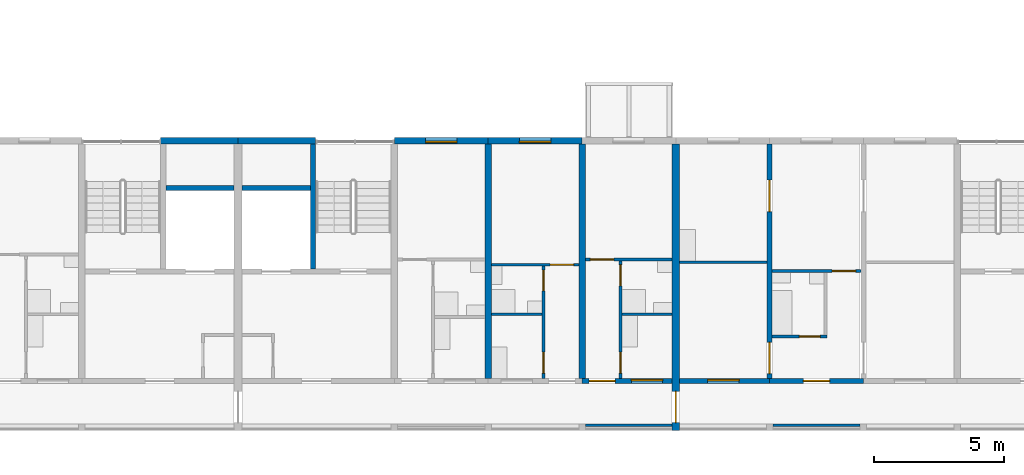
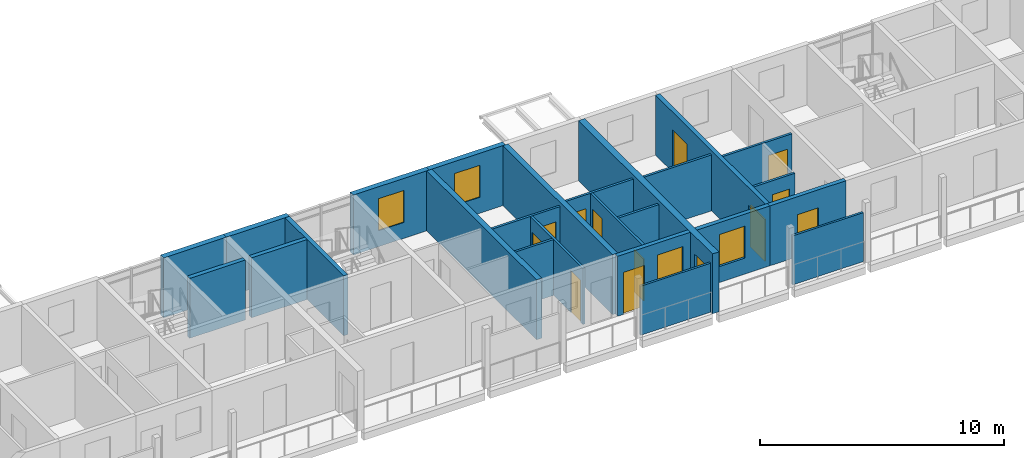
# One storey, part 33 of 98: 25 walls, 13 doors, 4 windows, 17 openings.
"""IFC4 building model written with IfcOpenShell, lengths in metres."""

from ifc_helpers import new_model, si_unit, direction, frame, frame_2d, origin, place, context, subcontext, project, spatial, rectangle, extrude, material, layer, layer_set, type_object, element, fill, save


model = new_model("IFC4")

# Units and contexts
model_context = context("Model", 3, precision=1e-05, world=origin(), true_north=direction((0.0, 1.0)))
body_context = subcontext(model_context, "Body", "Model", "MODEL_VIEW")
ifc_project = project(units=[si_unit("LENGTHUNIT", "METRE"), si_unit("AREAUNIT", "SQUARE_METRE"), si_unit("VOLUMEUNIT", "CUBIC_METRE"), si_unit("PLANEANGLEUNIT", "RADIAN"), si_unit("MASSUNIT", "GRAM", prefix="KILO")], contexts=[model_context])

# Site, building, storey
site_placement = place(None, origin())
site = spatial("IfcSite", under=ifc_project, at=site_placement, CompositionType="ELEMENT")
building_placement = place(site_placement, origin())
building = spatial("IfcBuilding", under=site, at=building_placement, Name="Ridgestep Commons", CompositionType="ELEMENT")
storey_placement = place(building_placement, frame((0.0, 0.0, 12.0)))
storey = spatial("IfcBuildingStorey", under=building, at=storey_placement, Name="L04", CompositionType="ELEMENT", Elevation=12.0)

# Walls
ifc_material_1 = material(Name="Concrete C30/37", Category="concrete")
ifc_layer_1 = layer(ifc_material_1, 0.199951171875)
ifc_layer_set_1 = layer_set([ifc_layer_1], Name="Core wall 200")
wall_type_1 = type_object("IfcWallType", Name="Core wall 200", PredefinedType="SHEAR", material=ifc_layer_set_1)
wall_1_placement = place(storey_placement, frame((42.824951171875, 21.050048828125, 0.0), z_axis=(0.0, 0.0, 1.0), x_axis=(1.0, 0.0, 0.0)))
element("IfcWall", 1, at=wall_1_placement, inside=storey, type_object=wall_type_1, Name="Core duct wall A2C L04", PredefinedType="SHEAR", context=body_context, shape_type="SweptSolid", body=[
    extrude(rectangle(XDim=2.625, YDim=0.199951171875, at=frame_2d((1.3125, 0.0))), origin(), (0.0, 0.0, 1.0), 3.0),
])
wall_2_placement = place(storey_placement, frame((48.47509765625, 17.949951171875, 0.0), z_axis=(0.0, 0.0, 1.0), x_axis=(0.0, 1.0, 0.0)))
element("IfcWall", 2, at=wall_2_placement, inside=storey, type_object=wall_type_1, Name="Core stair wall A3C L04", PredefinedType="SHEAR", context=body_context, shape_type="SweptSolid", body=[
    extrude(rectangle(XDim=4.800048828125, YDim=0.199951171875, at=frame_2d((2.39990234375, 0.0))), origin(), (0.0, 0.0, 1.0), 3.0),
])
wall_3_placement = place(storey_placement, frame((45.75, 21.050048828125, 0.0), z_axis=(0.0, 0.0, 1.0), x_axis=(1.0, 0.0, 0.0)))
element("IfcWall", 3, at=wall_3_placement, inside=storey, type_object=wall_type_1, Name="Core duct wall A3C L04", PredefinedType="SHEAR", context=body_context, shape_type="SweptSolid", body=[
    extrude(rectangle(XDim=2.625, YDim=0.199951171875, at=frame_2d((1.3125, 0.0))), origin(), (0.0, 0.0, 1.0), 3.0),
])

# Wall, openings, doors
ifc_material_2 = material(Name="Precast concrete C40/50", Category="concrete")
ifc_layer_2 = layer(ifc_material_2, 0.199951171875)
ifc_layer_set_2 = layer_set([ifc_layer_2], Name="Cross wall 200")
wall_type_2 = type_object("IfcWallType", Name="Cross wall 200", PredefinedType="SHEAR", material=ifc_layer_set_2)
wall_4_placement = place(storey_placement, frame((66.0, 13.75, 0.0), z_axis=(0.0, 0.0, 1.0), x_axis=(0.0, 1.0, 0.0)))
wall_4 = element("IfcWall", 4, at=wall_4_placement, inside=storey, type_object=wall_type_2, Name="Cross wall A-04-0660", PredefinedType="SHEAR", context=body_context, shape_type="SweptSolid", body=[
    extrude(rectangle(XDim=9.0, YDim=0.199951171875, at=frame_2d((4.5, 0.0))), origin(), (0.0, 0.0, 1.0), 3.0),
])
opening_1_placement = place(wall_4_placement, frame((0.175048828125, 0.0, 0.0)))
opening_1 = element("IfcOpeningElement", 5, at=opening_1_placement, cuts=wall_4, Name="Opening A4-04a/4", PredefinedType="OPENING", context=body_context, shape_type="SweptSolid", body=[
    extrude(rectangle(XDim=1.199951171875, YDim=2.10009765625, at=frame_2d((0.60009765625, 1.050048828125))), frame((0.0, 0.10986328125, 0.0), z_axis=(0.0, -1.0, 0.0), x_axis=(1.0, 0.0, 0.0)), (0.0, 0.0, 1.0), 0.219970703125),
])
opening_2_placement = place(wall_4_placement, frame((6.39990234375, 0.0, 0.0)))
opening_2 = element("IfcOpeningElement", 6, at=opening_2_placement, cuts=wall_4, Name="Opening A4-04a/5", PredefinedType="OPENING", context=body_context, shape_type="SweptSolid", body=[
    extrude(rectangle(XDim=1.199951171875, YDim=2.10009765625, at=frame_2d((0.60009765625, 1.050048828125))), frame((0.0, 0.10986328125, 0.0), z_axis=(0.0, -1.0, 0.0), x_axis=(1.0, 0.0, 0.0)), (0.0, 0.0, 1.0), 0.219970703125),
])
ifc_material_3 = material(Name="Timber door leaf", Category="wood")
door_type_1 = type_object("IfcDoorType", Name="Double door 1200 x 2100", OperationType="DOUBLE_DOOR_SINGLE_SWING", PredefinedType="DOOR", material=ifc_material_3)
door_1_placement = place(opening_1_placement, origin())
door_1 = element("IfcDoor", 7, at=door_1_placement, inside=storey, type_object=door_type_1, Name="Double door A4-04a/4", OperationType="DOUBLE_DOOR_SINGLE_SWING", OverallHeight=2.10009765625, OverallWidth=1.199951171875, PredefinedType="DOOR", context=body_context, shape_type="SweptSolid", body=[
    extrude(rectangle(XDim=1.199951171875, YDim=2.10009765625, at=frame_2d((0.60009765625, 1.050048828125))), frame((0.0, 0.02490234375, 0.0), z_axis=(0.0, -1.0, 0.0), x_axis=(1.0, 0.0, 0.0)), (0.0, 0.0, 1.0), 0.050048828125),
])
fill(opening_1, door_1)
door_2_placement = place(opening_2_placement, origin())
door_2 = element("IfcDoor", 8, at=door_2_placement, inside=storey, type_object=door_type_1, Name="Double door A4-04a/5", OperationType="DOUBLE_DOOR_SINGLE_SWING", OverallHeight=2.10009765625, OverallWidth=1.199951171875, PredefinedType="DOOR", context=body_context, shape_type="SweptSolid", body=[
    extrude(rectangle(XDim=1.199951171875, YDim=2.10009765625, at=frame_2d((0.60009765625, 1.050048828125))), frame((0.0, 0.02490234375, 0.0), z_axis=(0.0, -1.0, 0.0), x_axis=(1.0, 0.0, 0.0)), (0.0, 0.0, 1.0), 0.050048828125),
])
fill(opening_2, door_2)

# Walls
ifc_material_4 = material(Name="Precast concrete C40/50", Category="concrete")
ifc_layer_3 = layer(ifc_material_4, 0.25)
ifc_layer_set_3 = layer_set([ifc_layer_3], Name="Cross wall 250")
wall_type_3 = type_object("IfcWallType", Name="Cross wall 250", PredefinedType="SHEAR", material=ifc_layer_set_3)
for number, where, z_axis, x_axis, name in (
    (9, (55.199951171875, 13.75, 0.0), (0.0, 0.0, 1.0), (0.0, 1.0, 0.0), "Cross wall A-04-0552"),
    (10, (58.800048828125, 13.75, 0.0), (0.0, 0.0, 1.0), (0.0, 1.0, 0.0), "Cross wall A-04-0588"),
):
    element("IfcWall", number, at=place(storey_placement, frame(where, z_axis=z_axis, x_axis=x_axis)), inside=storey, type_object=wall_type_3, Name=name, PredefinedType="SHEAR", context=body_context, shape_type="SweptSolid", body=[
        extrude(rectangle(XDim=9.0, YDim=0.25, at=frame_2d((4.5, 0.0))), origin(), (0.0, 0.0, 1.0), 3.0),
    ])

# Wall, opening, door
ifc_material_5 = material(Name="Precast concrete C40/50", Category="concrete")
ifc_layer_4 = layer(ifc_material_5, 0.300048828125)
ifc_layer_set_4 = layer_set([ifc_layer_4], Name="Division wall 300")
wall_type_4 = type_object("IfcWallType", Name="Division wall 300", PredefinedType="SHEAR", material=ifc_layer_set_4)
wall_5_placement = place(storey_placement, frame((62.39990234375, 11.75, 0.0), z_axis=(0.0, 0.0, 1.0), x_axis=(0.0, 1.0, 0.0)))
wall_5 = element("IfcWall", 11, at=wall_5_placement, inside=storey, type_object=wall_type_4, Name="Cross wall A-04-0624", PredefinedType="SHEAR", context=body_context, shape_type="SweptSolid", body=[
    extrude(rectangle(XDim=11.0, YDim=0.300048828125, at=frame_2d((5.5, 0.0))), origin(), (0.0, 0.0, 1.0), 3.0),
])
opening_3_placement = place(wall_5_placement, frame((0.300048828125, 0.0, 0.0)))
opening_3 = element("IfcOpeningElement", 12, at=opening_3_placement, cuts=wall_5, Name="Opening A/04/G0624", PredefinedType="OPENING", context=body_context, shape_type="SweptSolid", body=[
    extrude(rectangle(XDim=1.199951171875, YDim=2.10009765625, at=frame_2d((0.60009765625, 1.050048828125))), frame((0.0, 0.159912109375, 0.0), z_axis=(0.0, -1.0, 0.0), x_axis=(1.0, 0.0, 0.0)), (0.0, 0.0, 1.0), 0.320068359375),
])
ifc_material_6 = material(Name="Steel fire door", Category="steel")
door_type_2 = type_object("IfcDoorType", Name="Division fire door 1200 x 2100 EI 240", OperationType="DOUBLE_DOOR_SINGLE_SWING", PredefinedType="DOOR", material=ifc_material_6)
door_3_placement = place(opening_3_placement, origin())
door_3 = element("IfcDoor", 13, at=door_3_placement, inside=storey, type_object=door_type_2, Name="Division fire door A/04/G0624", OperationType="DOUBLE_DOOR_SINGLE_SWING", OverallHeight=2.10009765625, OverallWidth=1.199951171875, PredefinedType="DOOR", context=body_context, shape_type="SweptSolid", body=[
    extrude(rectangle(XDim=1.199951171875, YDim=2.10009765625, at=frame_2d((0.60009765625, 1.050048828125))), frame((0.0, 0.02490234375, 0.0), z_axis=(0.0, -1.0, 0.0), x_axis=(1.0, 0.0, 0.0)), (0.0, 0.0, 1.0), 0.050048828125),
])
fill(opening_3, door_3)

# Walls
ifc_material_7 = material(Name="Precast concrete C40/50", Category="concrete")
ifc_layer_5 = layer(ifc_material_7, 0.25)
ifc_layer_set_5 = layer_set([ifc_layer_5], Name="North facade panel 250")
wall_type_5 = type_object("IfcWallType", Name="North facade panel 250", PredefinedType="SOLIDWALL", material=ifc_layer_set_5)
wall_6_placement = place(storey_placement, frame((42.625, 22.875, 0.0), z_axis=(0.0, 0.0, 1.0), x_axis=(1.0, 0.0, 0.0)))
element("IfcWall", 14, at=wall_6_placement, inside=storey, type_object=wall_type_5, Name="North panel A2C L04", PredefinedType="SOLIDWALL", context=body_context, shape_type="SweptSolid", body=[
    extrude(rectangle(XDim=2.97509765625, YDim=0.25, at=frame_2d((1.487548828125, 0.0))), origin(), (0.0, 0.0, 1.0), 3.0),
])
wall_7_placement = place(storey_placement, frame((45.60009765625, 22.875, 0.0), z_axis=(0.0, 0.0, 1.0), x_axis=(1.0, 0.0, 0.0)))
element("IfcWall", 15, at=wall_7_placement, inside=storey, type_object=wall_type_5, Name="North panel A3C L04", PredefinedType="SOLIDWALL", context=body_context, shape_type="SweptSolid", body=[
    extrude(rectangle(XDim=2.974853515625, YDim=0.25, at=frame_2d((1.4873046875, 0.0))), origin(), (0.0, 0.0, 1.0), 3.0),
])

# Wall, opening, window
wall_8_placement = place(storey_placement, frame((51.60009765625, 22.875, 0.0), z_axis=(0.0, 0.0, 1.0), x_axis=(1.0, 0.0, 0.0)))
wall_8 = element("IfcWall", 16, at=wall_8_placement, inside=storey, type_object=wall_type_5, Name="North panel A3T3 L04", PredefinedType="SOLIDWALL", context=body_context, shape_type="SweptSolid", body=[
    extrude(rectangle(XDim=3.599853515625, YDim=0.25, at=frame_2d((1.7998046875, 0.0))), origin(), (0.0, 0.0, 1.0), 3.0),
])
opening_4_placement = place(wall_8_placement, frame((1.199951171875, 0.0, 0.800048828125)))
opening_4 = element("IfcOpeningElement", 17, at=opening_4_placement, cuts=wall_8, Name="Opening W11", PredefinedType="OPENING", context=body_context, shape_type="SweptSolid", body=[
    extrude(rectangle(XDim=1.199951171875, YDim=1.60009765625, at=frame_2d((0.60009765625, 0.800048828125))), frame((0.0, 0.135009765625, 0.0), z_axis=(0.0, -1.0, 0.0), x_axis=(1.0, 0.0, 0.0)), (0.0, 0.0, 1.0), 0.27001953125),
])
ifc_material_8 = material(Name="Aluminium 6063-T6 and glass", Category="aluminium")
window_type_1 = type_object("IfcWindowType", Name="Flat window 1200 x 1600", PartitioningType="SINGLE_PANEL", PredefinedType="WINDOW", material=ifc_material_8)
window_1_placement = place(opening_4_placement, origin())
window_1 = element("IfcWindow", 18, at=window_1_placement, inside=storey, type_object=window_type_1, Name="Window A3-04c 2", OverallHeight=1.60009765625, OverallWidth=1.199951171875, PartitioningType="SINGLE_PANEL", PredefinedType="WINDOW", context=body_context, shape_type="SweptSolid", body=[
    extrude(rectangle(XDim=1.199951171875, YDim=1.60009765625, at=frame_2d((0.60009765625, 0.800048828125))), frame((0.0, -0.02490234375, 0.0), z_axis=(0.0, -1.0, 0.0), x_axis=(1.0, 0.0, 0.0)), (0.0, 0.0, 1.0), 0.06005859375),
])
fill(opening_4, window_1)

wall_9_placement = place(storey_placement, frame((55.199951171875, 22.875, 0.0), z_axis=(0.0, 0.0, 1.0), x_axis=(1.0, 0.0, 0.0)))
wall_9 = element("IfcWall", 19, at=wall_9_placement, inside=storey, type_object=wall_type_5, Name="North panel A3T2 L04", PredefinedType="SOLIDWALL", context=body_context, shape_type="SweptSolid", body=[
    extrude(rectangle(XDim=3.60009765625, YDim=0.25, at=frame_2d((1.800048828125, 0.0))), origin(), (0.0, 0.0, 1.0), 3.0),
])
opening_5_placement = place(wall_9_placement, frame((1.199951171875, 0.0, 0.800048828125)))
opening_5 = element("IfcOpeningElement", 20, at=opening_5_placement, cuts=wall_9, Name="Opening W11", PredefinedType="OPENING", context=body_context, shape_type="SweptSolid", body=[
    extrude(rectangle(XDim=1.199951171875, YDim=1.60009765625, at=frame_2d((0.60009765625, 0.800048828125))), frame((0.0, 0.135009765625, 0.0), z_axis=(0.0, -1.0, 0.0), x_axis=(1.0, 0.0, 0.0)), (0.0, 0.0, 1.0), 0.27001953125),
])
window_2_placement = place(opening_5_placement, origin())
window_2 = element("IfcWindow", 21, at=window_2_placement, inside=storey, type_object=window_type_1, Name="Window A3-04b 2", OverallHeight=1.60009765625, OverallWidth=1.199951171875, PartitioningType="SINGLE_PANEL", PredefinedType="WINDOW", context=body_context, shape_type="SweptSolid", body=[
    extrude(rectangle(XDim=1.199951171875, YDim=1.60009765625, at=frame_2d((0.60009765625, 0.800048828125))), frame((0.0, -0.02490234375, 0.0), z_axis=(0.0, -1.0, 0.0), x_axis=(1.0, 0.0, 0.0)), (0.0, 0.0, 1.0), 0.06005859375),
])
fill(opening_5, window_2)

# Wall, openings, doors
ifc_material_9 = material(Name="Common brick 110 mm", Category="masonry")
ifc_layer_6 = layer(ifc_material_9, 0.110107421875)
ifc_layer_set_6 = layer_set([ifc_layer_6], Name="Partition 110")
wall_type_6 = type_object("IfcWallType", Name="Partition 110", PredefinedType="PARTITIONING", material=ifc_layer_set_6)
wall_10_placement = place(storey_placement, frame((60.280029296875, 13.75, 0.0), z_axis=(0.0, 0.0, 1.0), x_axis=(0.0, 1.0, 0.0)))
wall_10 = element("IfcWall", 22, at=wall_10_placement, inside=storey, type_object=wall_type_6, Name="Partition A3-04a", PredefinedType="PARTITIONING", context=body_context, shape_type="SweptSolid", body=[
    extrude(rectangle(XDim=4.5, YDim=0.110107421875, at=frame_2d((2.25, 0.0))), origin(), (0.0, 0.0, 1.0), 2.800048828125),
])
opening_6_placement = place(wall_10_placement, frame((0.199951171875, 0.0, 0.0)))
opening_6 = element("IfcOpeningElement", 23, at=opening_6_placement, cuts=wall_10, Name="Opening A3-04a/2", PredefinedType="OPENING", context=body_context, shape_type="SweptSolid", body=[
    extrude(rectangle(XDim=0.800048828125, YDim=2.10009765625, at=frame_2d((0.39990234375, 1.050048828125))), frame((0.0, 0.06494140625, 0.0), z_axis=(0.0, -1.0, 0.0), x_axis=(1.0, 0.0, 0.0)), (0.0, 0.0, 1.0), 0.130126953125),
])
opening_7_placement = place(wall_10_placement, frame((3.550048828125, 0.0, 0.0)))
opening_7 = element("IfcOpeningElement", 24, at=opening_7_placement, cuts=wall_10, Name="Opening A3-04a/3", PredefinedType="OPENING", context=body_context, shape_type="SweptSolid", body=[
    extrude(rectangle(XDim=0.800048828125, YDim=2.10009765625, at=frame_2d((0.39990234375, 1.050048828125))), frame((0.0, 0.06494140625, 0.0), z_axis=(0.0, -1.0, 0.0), x_axis=(1.0, 0.0, 0.0)), (0.0, 0.0, 1.0), 0.130126953125),
])
ifc_material_10 = material(Name="Timber door leaf", Category="wood")
door_type_3 = type_object("IfcDoorType", Name="Internal door 800 x 2100", OperationType="NOTDEFINED", PredefinedType="DOOR", material=ifc_material_10)
door_4_placement = place(opening_6_placement, origin())
door_4 = element("IfcDoor", 25, at=door_4_placement, inside=storey, type_object=door_type_3, Name="Internal door A3-04a/2", OperationType="SINGLE_SWING_RIGHT", OverallHeight=2.10009765625, OverallWidth=0.800048828125, PredefinedType="DOOR", context=body_context, shape_type="SweptSolid", body=[
    extrude(rectangle(XDim=0.800048828125, YDim=2.10009765625, at=frame_2d((0.39990234375, 1.050048828125))), frame((0.0, 0.02490234375, 0.0), z_axis=(0.0, -1.0, 0.0), x_axis=(1.0, 0.0, 0.0)), (0.0, 0.0, 1.0), 0.050048828125),
])
fill(opening_6, door_4)
door_5_placement = place(opening_7_placement, origin())
door_5 = element("IfcDoor", 26, at=door_5_placement, inside=storey, type_object=door_type_3, Name="Internal door A3-04a/3", OperationType="SINGLE_SWING_LEFT", OverallHeight=2.10009765625, OverallWidth=0.800048828125, PredefinedType="DOOR", context=body_context, shape_type="SweptSolid", body=[
    extrude(rectangle(XDim=0.800048828125, YDim=2.10009765625, at=frame_2d((0.39990234375, 1.050048828125))), frame((0.0, 0.02490234375, 0.0), z_axis=(0.0, -1.0, 0.0), x_axis=(1.0, 0.0, 0.0)), (0.0, 0.0, 1.0), 0.050048828125),
])
fill(opening_7, door_5)

# Wall
wall_11_placement = place(storey_placement, frame((60.3349609375, 16.205078125, 0.0), z_axis=(0.0, 0.0, 1.0), x_axis=(1.0, 0.0, 0.0)))
element("IfcWall", 27, at=wall_11_placement, inside=storey, type_object=wall_type_6, Name="Partition A3-04a", PredefinedType="PARTITIONING", context=body_context, shape_type="SweptSolid", body=[
    extrude(rectangle(XDim=1.9150390625, YDim=0.110107421875, at=frame_2d((0.95751953125, 0.0))), origin(), (0.0, 0.0, 1.0), 2.800048828125),
])

# Wall, opening, door
wall_12_placement = place(storey_placement, frame((58.925048828125, 18.304931640625, 0.0), z_axis=(0.0, 0.0, 1.0), x_axis=(1.0, 0.0, 0.0)))
wall_12 = element("IfcWall", 28, at=wall_12_placement, inside=storey, type_object=wall_type_6, Name="Partition A3-04a", PredefinedType="PARTITIONING", context=body_context, shape_type="SweptSolid", body=[
    extrude(rectangle(XDim=3.324951171875, YDim=0.110107421875, at=frame_2d((1.66259765625, 0.0))), origin(), (0.0, 0.0, 1.0), 2.800048828125),
])
opening_8_placement = place(wall_12_placement, frame((0.199951171875, 0.0, 0.0)))
opening_8 = element("IfcOpeningElement", 29, at=opening_8_placement, cuts=wall_12, Name="Opening A3-04a/4", PredefinedType="OPENING", context=body_context, shape_type="SweptSolid", body=[
    extrude(rectangle(XDim=0.89990234375, YDim=2.10009765625, at=frame_2d((0.449951171875, 1.050048828125))), frame((0.0, 0.06494140625, 0.0), z_axis=(0.0, -1.0, 0.0), x_axis=(1.0, 0.0, 0.0)), (0.0, 0.0, 1.0), 0.130126953125),
])
ifc_material_11 = material(Name="Timber door leaf", Category="wood")
door_type_4 = type_object("IfcDoorType", Name="Internal door 900 x 2100", OperationType="NOTDEFINED", PredefinedType="DOOR", material=ifc_material_11)
door_6_placement = place(opening_8_placement, origin())
door_6 = element("IfcDoor", 30, at=door_6_placement, inside=storey, type_object=door_type_4, Name="Internal door A3-04a/4", OperationType="SINGLE_SWING_LEFT", OverallHeight=2.10009765625, OverallWidth=0.89990234375, PredefinedType="DOOR", context=body_context, shape_type="SweptSolid", body=[
    extrude(rectangle(XDim=0.89990234375, YDim=2.10009765625, at=frame_2d((0.449951171875, 1.050048828125))), frame((0.0, 0.02490234375, 0.0), z_axis=(0.0, -1.0, 0.0), x_axis=(1.0, 0.0, 0.0)), (0.0, 0.0, 1.0), 0.050048828125),
])
fill(opening_8, door_6)

# Wall
wall_13_placement = place(storey_placement, frame((55.324951171875, 16.205078125, 0.0), z_axis=(0.0, 0.0, 1.0), x_axis=(1.0, 0.0, 0.0)))
element("IfcWall", 31, at=wall_13_placement, inside=storey, type_object=wall_type_6, Name="Partition A3-04b", PredefinedType="PARTITIONING", context=body_context, shape_type="SweptSolid", body=[
    extrude(rectangle(XDim=1.93994140625, YDim=0.110107421875, at=frame_2d((0.969970703125, 0.0))), origin(), (0.0, 0.0, 1.0), 2.800048828125),
])

# Wall, openings, doors
wall_14_placement = place(storey_placement, frame((57.320068359375, 13.75, 0.0), z_axis=(0.0, 0.0, 1.0), x_axis=(0.0, 1.0, 0.0)))
wall_14 = element("IfcWall", 32, at=wall_14_placement, inside=storey, type_object=wall_type_6, Name="Partition A3-04b", PredefinedType="PARTITIONING", context=body_context, shape_type="SweptSolid", body=[
    extrude(rectangle(XDim=4.300048828125, YDim=0.110107421875, at=frame_2d((2.14990234375, 0.0))), origin(), (0.0, 0.0, 1.0), 2.800048828125),
])
opening_9_placement = place(wall_14_placement, frame((0.199951171875, 0.0, 0.0)))
opening_9 = element("IfcOpeningElement", 33, at=opening_9_placement, cuts=wall_14, Name="Opening A3-04b/2", PredefinedType="OPENING", context=body_context, shape_type="SweptSolid", body=[
    extrude(rectangle(XDim=0.800048828125, YDim=2.10009765625, at=frame_2d((0.39990234375, 1.050048828125))), frame((0.0, 0.06494140625, 0.0), z_axis=(0.0, -1.0, 0.0), x_axis=(1.0, 0.0, 0.0)), (0.0, 0.0, 1.0), 0.130126953125),
])
opening_10_placement = place(wall_14_placement, frame((3.35009765625, 0.0, 0.0)))
opening_10 = element("IfcOpeningElement", 34, at=opening_10_placement, cuts=wall_14, Name="Opening A3-04b/3", PredefinedType="OPENING", context=body_context, shape_type="SweptSolid", body=[
    extrude(rectangle(XDim=0.800048828125, YDim=2.10009765625, at=frame_2d((0.39990234375, 1.050048828125))), frame((0.0, 0.06494140625, 0.0), z_axis=(0.0, -1.0, 0.0), x_axis=(1.0, 0.0, 0.0)), (0.0, 0.0, 1.0), 0.130126953125),
])
door_7_placement = place(opening_9_placement, origin())
door_7 = element("IfcDoor", 35, at=door_7_placement, inside=storey, type_object=door_type_3, Name="Internal door A3-04b/2", OperationType="SINGLE_SWING_LEFT", OverallHeight=2.10009765625, OverallWidth=0.800048828125, PredefinedType="DOOR", context=body_context, shape_type="SweptSolid", body=[
    extrude(rectangle(XDim=0.800048828125, YDim=2.10009765625, at=frame_2d((0.39990234375, 1.050048828125))), frame((0.0, 0.02490234375, 0.0), z_axis=(0.0, -1.0, 0.0), x_axis=(1.0, 0.0, 0.0)), (0.0, 0.0, 1.0), 0.050048828125),
])
fill(opening_9, door_7)
door_8_placement = place(opening_10_placement, origin())
door_8 = element("IfcDoor", 36, at=door_8_placement, inside=storey, type_object=door_type_3, Name="Internal door A3-04b/3", OperationType="SINGLE_SWING_RIGHT", OverallHeight=2.10009765625, OverallWidth=0.800048828125, PredefinedType="DOOR", context=body_context, shape_type="SweptSolid", body=[
    extrude(rectangle(XDim=0.800048828125, YDim=2.10009765625, at=frame_2d((0.39990234375, 1.050048828125))), frame((0.0, 0.02490234375, 0.0), z_axis=(0.0, -1.0, 0.0), x_axis=(1.0, 0.0, 0.0)), (0.0, 0.0, 1.0), 0.050048828125),
])
fill(opening_10, door_8)

# Wall, opening, door
wall_15_placement = place(storey_placement, frame((55.324951171875, 18.10498046875, 0.0), z_axis=(0.0, 0.0, 1.0), x_axis=(1.0, 0.0, 0.0)))
wall_15 = element("IfcWall", 37, at=wall_15_placement, inside=storey, type_object=wall_type_6, Name="Partition A3-04b", PredefinedType="PARTITIONING", context=body_context, shape_type="SweptSolid", body=[
    extrude(rectangle(XDim=3.35009765625, YDim=0.110107421875, at=frame_2d((1.675048828125, 0.0))), origin(), (0.0, 0.0, 1.0), 2.800048828125),
])
opening_11_placement = place(wall_15_placement, frame((2.25, 0.0, 0.0)))
opening_11 = element("IfcOpeningElement", 38, at=opening_11_placement, cuts=wall_15, Name="Opening A3-04b/4", PredefinedType="OPENING", context=body_context, shape_type="SweptSolid", body=[
    extrude(rectangle(XDim=0.89990234375, YDim=2.10009765625, at=frame_2d((0.449951171875, 1.050048828125))), frame((0.0, 0.06494140625, 0.0), z_axis=(0.0, -1.0, 0.0), x_axis=(1.0, 0.0, 0.0)), (0.0, 0.0, 1.0), 0.130126953125),
])
door_9_placement = place(opening_11_placement, origin())
door_9 = element("IfcDoor", 39, at=door_9_placement, inside=storey, type_object=door_type_4, Name="Internal door A3-04b/4", OperationType="SINGLE_SWING_LEFT", OverallHeight=2.10009765625, OverallWidth=0.89990234375, PredefinedType="DOOR", context=body_context, shape_type="SweptSolid", body=[
    extrude(rectangle(XDim=0.89990234375, YDim=2.10009765625, at=frame_2d((0.449951171875, 1.050048828125))), frame((0.0, 0.02490234375, 0.0), z_axis=(0.0, -1.0, 0.0), x_axis=(1.0, 0.0, 0.0)), (0.0, 0.0, 1.0), 0.050048828125),
])
fill(opening_11, door_9)

wall_16_placement = place(storey_placement, frame((66.10009765625, 15.35498046875, 0.0), z_axis=(0.0, 0.0, 1.0), x_axis=(1.0, 0.0, 0.0)))
wall_16 = element("IfcWall", 40, at=wall_16_placement, inside=storey, type_object=wall_type_6, Name="Partition A4-04a", PredefinedType="PARTITIONING", context=body_context, shape_type="SweptSolid", body=[
    extrude(rectangle(XDim=2.099853515625, YDim=0.110107421875, at=frame_2d((1.0498046875, 0.0))), origin(), (0.0, 0.0, 1.0), 2.800048828125),
])
opening_12_placement = place(wall_16_placement, frame((1.0400390625, 0.0, 0.0)))
opening_12 = element("IfcOpeningElement", 41, at=opening_12_placement, cuts=wall_16, Name="Opening A4-04a/2", PredefinedType="OPENING", context=body_context, shape_type="SweptSolid", body=[
    extrude(rectangle(XDim=0.800048828125, YDim=2.10009765625, at=frame_2d((0.39990234375, 1.050048828125))), frame((0.0, 0.06494140625, 0.0), z_axis=(0.0, -1.0, 0.0), x_axis=(1.0, 0.0, 0.0)), (0.0, 0.0, 1.0), 0.130126953125),
])
door_10_placement = place(opening_12_placement, origin())
door_10 = element("IfcDoor", 42, at=door_10_placement, inside=storey, type_object=door_type_3, Name="Internal door A4-04a/2", OperationType="SINGLE_SWING_RIGHT", OverallHeight=2.10009765625, OverallWidth=0.800048828125, PredefinedType="DOOR", context=body_context, shape_type="SweptSolid", body=[
    extrude(rectangle(XDim=0.800048828125, YDim=2.10009765625, at=frame_2d((0.39990234375, 1.050048828125))), frame((0.0, 0.02490234375, 0.0), z_axis=(0.0, -1.0, 0.0), x_axis=(1.0, 0.0, 0.0)), (0.0, 0.0, 1.0), 0.050048828125),
])
fill(opening_12, door_10)

wall_17_placement = place(storey_placement, frame((66.10009765625, 17.864990234375, 0.0), z_axis=(0.0, 0.0, 1.0), x_axis=(1.0, 0.0, 0.0)))
wall_17 = element("IfcWall", 43, at=wall_17_placement, inside=storey, type_object=wall_type_6, Name="Partition A4-04a", PredefinedType="PARTITIONING", context=body_context, shape_type="SweptSolid", body=[
    extrude(rectangle(XDim=3.39990234375, YDim=0.110107421875, at=frame_2d((1.699951171875, 0.0))), origin(), (0.0, 0.0, 1.0), 2.800048828125),
])
opening_13_placement = place(wall_17_placement, frame((2.300048828125, 0.0, 0.0)))
opening_13 = element("IfcOpeningElement", 44, at=opening_13_placement, cuts=wall_17, Name="Opening A4-04a/3", PredefinedType="OPENING", context=body_context, shape_type="SweptSolid", body=[
    extrude(rectangle(XDim=0.89990234375, YDim=2.10009765625, at=frame_2d((0.449951171875, 1.050048828125))), frame((0.0, 0.06494140625, 0.0), z_axis=(0.0, -1.0, 0.0), x_axis=(1.0, 0.0, 0.0)), (0.0, 0.0, 1.0), 0.130126953125),
])
door_11_placement = place(opening_13_placement, origin())
door_11 = element("IfcDoor", 45, at=door_11_placement, inside=storey, type_object=door_type_4, Name="Internal door A4-04a/3", OperationType="SINGLE_SWING_RIGHT", OverallHeight=2.10009765625, OverallWidth=0.89990234375, PredefinedType="DOOR", context=body_context, shape_type="SweptSolid", body=[
    extrude(rectangle(XDim=0.89990234375, YDim=2.10009765625, at=frame_2d((0.449951171875, 1.050048828125))), frame((0.0, 0.02490234375, 0.0), z_axis=(0.0, -1.0, 0.0), x_axis=(1.0, 0.0, 0.0)), (0.0, 0.0, 1.0), 0.050048828125),
])
fill(opening_13, door_11)

# Walls
wall_18_placement = place(storey_placement, frame((62.550048828125, 18.205078125, 0.0), z_axis=(0.0, 0.0, 1.0), x_axis=(1.0, 0.0, 0.0)))
element("IfcWall", 46, at=wall_18_placement, inside=storey, type_object=wall_type_6, Name="Partition A4-04a", PredefinedType="PARTITIONING", context=body_context, shape_type="SweptSolid", body=[
    extrude(rectangle(XDim=3.349853515625, YDim=0.110107421875, at=frame_2d((1.6748046875, 0.0))), origin(), (0.0, 0.0, 1.0), 2.800048828125),
])
ifc_material_12 = material(Name="Precast concrete C30/37", Category="concrete")
ifc_layer_7 = layer(ifc_material_12, 0.10009765625)
ifc_layer_set_7 = layer_set([ifc_layer_7], Name="Perforated gallery screen 3325 x 2450 x 100")
wall_type_7 = type_object("IfcWallType", Name="Perforated gallery screen 3325 x 2450 x 100", PredefinedType="SOLIDWALL", material=ifc_layer_set_7)
wall_19_placement = place(storey_placement, frame((58.925048828125, 11.949951171875, 0.0), z_axis=(0.0, 0.0, 1.0), x_axis=(1.0, 0.0, 0.0)))
element("IfcWall", 47, at=wall_19_placement, inside=storey, type_object=wall_type_7, Name="Gallery screen A3T1 04", PredefinedType="SOLIDWALL", context=body_context, shape_type="SweptSolid", body=[
    extrude(rectangle(XDim=3.324951171875, YDim=0.10009765625, at=frame_2d((1.66259765625, 0.0))), origin(), (0.0, 0.0, 1.0), 2.449951171875),
])
ifc_material_13 = material(Name="Precast concrete C30/37", Category="concrete")
ifc_layer_8 = layer(ifc_material_13, 0.10009765625)
ifc_layer_set_8 = layer_set([ifc_layer_8], Name="Perforated gallery screen 3350 x 2450 x 100")
wall_type_8 = type_object("IfcWallType", Name="Perforated gallery screen 3350 x 2450 x 100", PredefinedType="SOLIDWALL", material=ifc_layer_set_8)
wall_20_placement = place(storey_placement, frame((66.125, 11.949951171875, 0.0), z_axis=(0.0, 0.0, 1.0), x_axis=(1.0, 0.0, 0.0)))
element("IfcWall", 48, at=wall_20_placement, inside=storey, type_object=wall_type_8, Name="Gallery screen A4T2 04", PredefinedType="SOLIDWALL", context=body_context, shape_type="SweptSolid", body=[
    extrude(rectangle(XDim=3.35009765625, YDim=0.10009765625, at=frame_2d((1.675048828125, 0.0))), origin(), (0.0, 0.0, 1.0), 2.449951171875),
])

# Wall, openings, door, window
ifc_material_14 = material(Name="Precast concrete C40/50", Category="concrete")
ifc_layer_9 = layer(ifc_material_14, 0.199951171875)
ifc_layer_set_9 = layer_set([ifc_layer_9], Name="South facade panel 200")
wall_type_9 = type_object("IfcWallType", Name="South facade panel 200", PredefinedType="SOLIDWALL", material=ifc_layer_set_9)
wall_21_placement = place(storey_placement, frame((58.800048828125, 13.64990234375, 0.0), z_axis=(0.0, 0.0, 1.0), x_axis=(1.0, 0.0, 0.0)))
wall_21 = element("IfcWall", 49, at=wall_21_placement, inside=storey, type_object=wall_type_9, Name="South panel A3T1 L04", PredefinedType="SOLIDWALL", context=body_context, shape_type="SweptSolid", body=[
    extrude(rectangle(XDim=3.449951171875, YDim=0.199951171875, at=frame_2d((1.72509765625, 0.0))), origin(), (0.0, 0.0, 1.0), 3.0),
])
opening_14_placement = place(wall_21_placement, frame((1.892578125, 0.0, 1.10009765625)))
opening_14 = element("IfcOpeningElement", 50, at=opening_14_placement, cuts=wall_21, Name="Opening W08", PredefinedType="OPENING", context=body_context, shape_type="SweptSolid", body=[
    extrude(rectangle(XDim=1.199951171875, YDim=1.300048828125, at=frame_2d((0.60009765625, 0.64990234375))), frame((0.0, 0.10986328125, 0.0), z_axis=(0.0, -1.0, 0.0), x_axis=(1.0, 0.0, 0.0)), (0.0, 0.0, 1.0), 0.219970703125),
])
opening_15_placement = place(wall_21_placement, frame((0.27490234375, 0.0, 0.0)))
opening_15 = element("IfcOpeningElement", 51, at=opening_15_placement, cuts=wall_21, Name="Opening A3-04a/1", PredefinedType="OPENING", context=body_context, shape_type="SweptSolid", body=[
    extrude(rectangle(XDim=1.0, YDim=2.10009765625, at=frame_2d((0.5, 1.050048828125))), frame((0.0, 0.10986328125, 0.0), z_axis=(0.0, -1.0, 0.0), x_axis=(1.0, 0.0, 0.0)), (0.0, 0.0, 1.0), 0.219970703125),
])
ifc_material_15 = material(Name="Timber door leaf", Category="wood")
door_type_5 = type_object("IfcDoorType", Name="Flat entrance door 1000 x 2100 FD30S", OperationType="NOTDEFINED", PredefinedType="DOOR", material=ifc_material_15)
door_12_placement = place(opening_15_placement, origin())
door_12 = element("IfcDoor", 52, at=door_12_placement, inside=storey, type_object=door_type_5, Name="Flat entrance door A3-04a/1", OperationType="SINGLE_SWING_LEFT", OverallHeight=2.10009765625, OverallWidth=1.0, PredefinedType="DOOR", context=body_context, shape_type="SweptSolid", body=[
    extrude(rectangle(XDim=1.0, YDim=2.10009765625, at=frame_2d((0.5, 1.050048828125))), frame((0.0, 0.02490234375, 0.0), z_axis=(0.0, -1.0, 0.0), x_axis=(1.0, 0.0, 0.0)), (0.0, 0.0, 1.0), 0.050048828125),
])
fill(opening_15, door_12)
ifc_material_16 = material(Name="Aluminium 6063-T6 and glass", Category="aluminium")
window_type_2 = type_object("IfcWindowType", Name="Flat window 1200 x 1300", PartitioningType="SINGLE_PANEL", PredefinedType="WINDOW", material=ifc_material_16)
window_3_placement = place(opening_14_placement, origin())
window_3 = element("IfcWindow", 53, at=window_3_placement, inside=storey, type_object=window_type_2, Name="Window A3-04a 1", OverallHeight=1.300048828125, OverallWidth=1.199951171875, PartitioningType="SINGLE_PANEL", PredefinedType="WINDOW", context=body_context, shape_type="SweptSolid", body=[
    extrude(rectangle(XDim=1.199951171875, YDim=1.300048828125, at=frame_2d((0.60009765625, 0.64990234375))), frame((0.0, 0.06005859375, 0.0), z_axis=(0.0, -1.0, 0.0), x_axis=(1.0, 0.0, 0.0)), (0.0, 0.0, 1.0), 0.06005859375),
])
fill(opening_14, window_3)

# Wall, opening, window
wall_22_placement = place(storey_placement, frame((62.550048828125, 13.64990234375, 0.0), z_axis=(0.0, 0.0, 1.0), x_axis=(1.0, 0.0, 0.0)))
wall_22 = element("IfcWall", 54, at=wall_22_placement, inside=storey, type_object=wall_type_9, Name="South panel A4T1 L04", PredefinedType="SOLIDWALL", context=body_context, shape_type="SweptSolid", body=[
    extrude(rectangle(XDim=3.449951171875, YDim=0.199951171875, at=frame_2d((1.72509765625, 0.0))), origin(), (0.0, 0.0, 1.0), 3.0),
])
opening_16_placement = place(wall_22_placement, frame((1.074951171875, 0.0, 0.800048828125)))
opening_16 = element("IfcOpeningElement", 55, at=opening_16_placement, cuts=wall_22, Name="Opening W11", PredefinedType="OPENING", context=body_context, shape_type="SweptSolid", body=[
    extrude(rectangle(XDim=1.199951171875, YDim=1.60009765625, at=frame_2d((0.60009765625, 0.800048828125))), frame((0.0, 0.10986328125, 0.0), z_axis=(0.0, -1.0, 0.0), x_axis=(1.0, 0.0, 0.0)), (0.0, 0.0, 1.0), 0.219970703125),
])
window_4_placement = place(opening_16_placement, origin())
window_4 = element("IfcWindow", 56, at=window_4_placement, inside=storey, type_object=window_type_1, Name="Window A4-04a 1", OverallHeight=1.60009765625, OverallWidth=1.199951171875, PartitioningType="SINGLE_PANEL", PredefinedType="WINDOW", context=body_context, shape_type="SweptSolid", body=[
    extrude(rectangle(XDim=1.199951171875, YDim=1.60009765625, at=frame_2d((0.60009765625, 0.800048828125))), frame((0.0, 0.06005859375, 0.0), z_axis=(0.0, -1.0, 0.0), x_axis=(1.0, 0.0, 0.0)), (0.0, 0.0, 1.0), 0.06005859375),
])
fill(opening_16, window_4)

# Wall, opening, door
wall_23_placement = place(storey_placement, frame((66.0, 13.64990234375, 0.0), z_axis=(0.0, 0.0, 1.0), x_axis=(1.0, 0.0, 0.0)))
wall_23 = element("IfcWall", 57, at=wall_23_placement, inside=storey, type_object=wall_type_9, Name="South panel A4T2 L04", PredefinedType="SOLIDWALL", context=body_context, shape_type="SweptSolid", body=[
    extrude(rectangle(XDim=3.60009765625, YDim=0.199951171875, at=frame_2d((1.800048828125, 0.0))), origin(), (0.0, 0.0, 1.0), 3.0),
])
opening_17_placement = place(wall_23_placement, frame((1.300048828125, 0.0, 0.0)))
opening_17 = element("IfcOpeningElement", 58, at=opening_17_placement, cuts=wall_23, Name="Opening A4-04a/1", PredefinedType="OPENING", context=body_context, shape_type="SweptSolid", body=[
    extrude(rectangle(XDim=1.0, YDim=2.10009765625, at=frame_2d((0.5, 1.050048828125))), frame((0.0, 0.10986328125, 0.0), z_axis=(0.0, -1.0, 0.0), x_axis=(1.0, 0.0, 0.0)), (0.0, 0.0, 1.0), 0.219970703125),
])
door_13_placement = place(opening_17_placement, origin())
door_13 = element("IfcDoor", 59, at=door_13_placement, inside=storey, type_object=door_type_5, Name="Flat entrance door A4-04a/1", OperationType="SINGLE_SWING_RIGHT", OverallHeight=2.10009765625, OverallWidth=1.0, PredefinedType="DOOR", context=body_context, shape_type="SweptSolid", body=[
    extrude(rectangle(XDim=1.0, YDim=2.10009765625, at=frame_2d((0.5, 1.050048828125))), frame((0.0, 0.02490234375, 0.0), z_axis=(0.0, -1.0, 0.0), x_axis=(1.0, 0.0, 0.0)), (0.0, 0.0, 1.0), 0.050048828125),
])
fill(opening_17, door_13)

save(model, "model.ifc")
